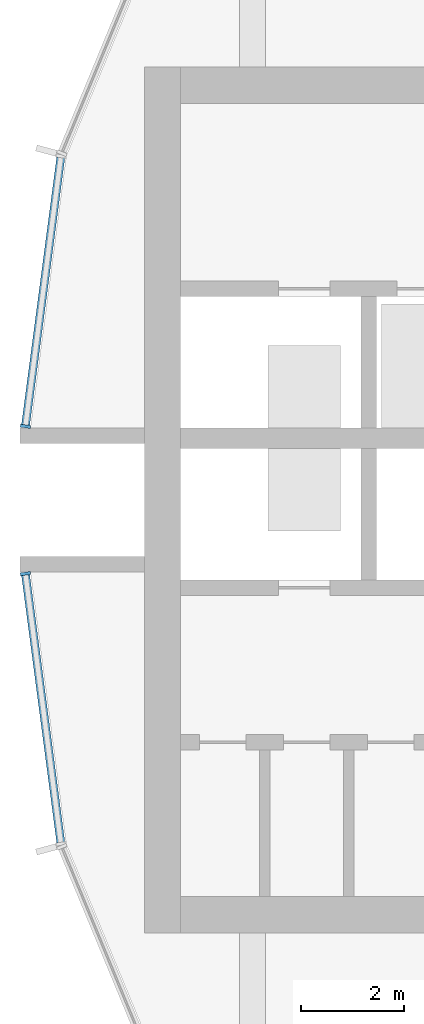
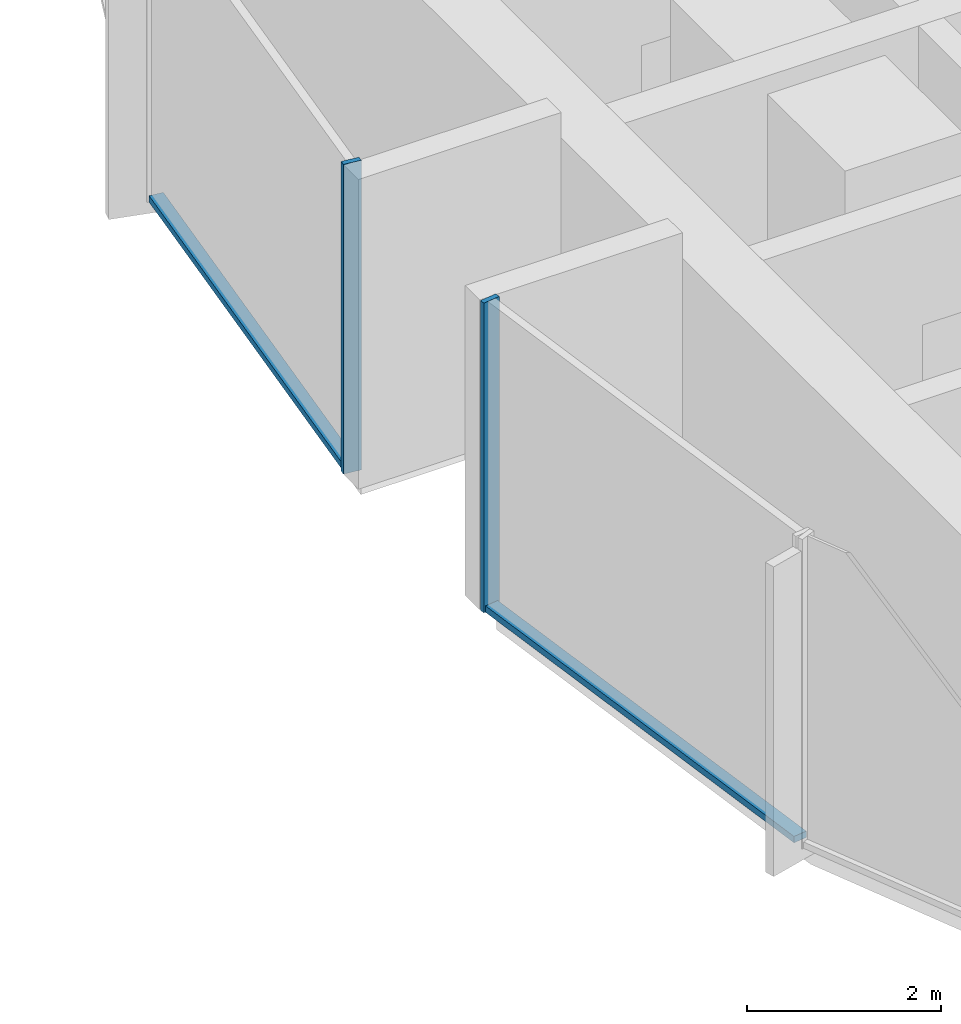
# One storey, part 3 of 15: 4 members, 2 elements without a shape of their own.
"""IFC4 building model written with IfcOpenShell, lengths in metres."""

import ifcopenshell
import ifcopenshell.guid

model = None  # the IFC model being written
_history = None  # IfcOwnerHistory: only IFC2X3 demands one
_inside = {}  # id of a spatial element -> (the spatial element, [elements in it])
_under = {}  # id of a project, library or spatial element -> (it, [spatial elements below it])
_declared = {}  # id of a project -> (the project, [libraries it declares])
_typed = {}  # id of a type object -> (the type object, [elements of that type])
_made_of = {}  # id of a material, layer set ... -> (it, [elements and type objects made of it])


def new_model(schema):
    """Start an empty IFC model of exactly this schema.

    Asked for "IFC4X3", IfcOpenShell would pick the latest addendum, in which some entities
    have other attributes; the version numbers below select the first issue.
    IFC2X3 requires an IfcOwnerHistory on every rooted entity: one is made here for all.
    """
    global model, _history
    if schema == "IFC4X3":
        model = ifcopenshell.file(schema_version=(4, 3, 0, 0))
    else:
        model = ifcopenshell.file(schema=schema)
    _inside.clear()
    _under.clear()
    _declared.clear()
    _typed.clear()
    _made_of.clear()
    _history = None
    if model.schema == "IFC2X3":
        org = make("IfcOrganization", Name="unknown")
        user = make(
            "IfcPersonAndOrganization",
            ThePerson=make("IfcPerson", FamilyName="unknown"),
            TheOrganization=org,
        )
        app = make(
            "IfcApplication",
            ApplicationDeveloper=org,
            Version="unknown",
            ApplicationFullName="unknown",
            ApplicationIdentifier="unknown",
        )
        _history = make(
            "IfcOwnerHistory",
            OwningUser=user,
            OwningApplication=app,
            ChangeAction="ADDED",
            CreationDate=0,
        )
    return model


def make(cls, **values):
    """One entity of the class cls with the attributes given. An attribute that is None is left unset."""
    return model.create_entity(
        cls, **{name: value for name, value in values.items() if value is not None}
    )


def rooted(cls, **values):
    """An entity with a GlobalId (a new one), such as an element, a storey or a relation."""
    return make(cls, GlobalId=ifcopenshell.guid.new(), OwnerHistory=_history, **values)


def si_unit(unit_type, name, prefix=None):
    """IfcSIUnit, for example si_unit("LENGTHUNIT", "METRE", prefix="MILLI")."""
    return make("IfcSIUnit", UnitType=unit_type, Prefix=prefix, Name=name)


def assignment(units):
    """IfcUnitAssignment: the units of a project."""
    return None if units is None else make("IfcUnitAssignment", Units=units)


def point(xyz):
    """IfcCartesianPoint."""
    return None if xyz is None else make("IfcCartesianPoint", Coordinates=xyz)


def direction(xyz):
    """IfcDirection."""
    return None if xyz is None else make("IfcDirection", DirectionRatios=xyz)


def frame(location, z_axis=None, x_axis=None):
    """IfcAxis2Placement3D, a coordinate frame: its origin and axes. An axis left out is left unset."""
    return make(
        "IfcAxis2Placement3D",
        Location=point(location),
        Axis=direction(z_axis),
        RefDirection=direction(x_axis),
    )


def frame_2d(location, x_axis=None):
    """IfcAxis2Placement2D, a coordinate frame in the plane: its origin and x axis."""
    return make(
        "IfcAxis2Placement2D", Location=point(location), RefDirection=direction(x_axis)
    )


def origin():
    """The frame at (0, 0, 0) with its axes left unset."""
    return frame((0.0, 0.0, 0.0))


def origin_2d():
    """The frame at (0, 0) in the plane with its x axis left unset."""
    return frame_2d((0.0, 0.0))


def place(relative_to, where):
    """IfcLocalPlacement: puts the frame where relative to a parent placement (None: the world)."""
    return make(
        "IfcLocalPlacement", PlacementRelTo=relative_to, RelativePlacement=where
    )


def context(
    kind, dimensions, precision=None, world=None, true_north=None, identifier=None
):
    """IfcGeometricRepresentationContext, for example the 3D "Model" context."""
    return make(
        "IfcGeometricRepresentationContext",
        ContextIdentifier=identifier,
        ContextType=kind,
        CoordinateSpaceDimension=dimensions,
        Precision=precision,
        WorldCoordinateSystem=world,
        TrueNorth=true_north,
    )


def subcontext(parent, identifier, kind, view, scale=None):
    """IfcGeometricRepresentationSubContext, for example "Body" below "Model"."""
    return make(
        "IfcGeometricRepresentationSubContext",
        ContextIdentifier=identifier,
        ContextType=kind,
        ParentContext=parent,
        TargetScale=scale,
        TargetView=view,
    )


def project(units=None, contexts=None):
    """IfcProject with its units and contexts."""
    return rooted(
        "IfcProject",
        Name="project",
        RepresentationContexts=contexts,
        UnitsInContext=assignment(units),
    )


def spatial(cls, under=None, at=None, **own):
    """A site, building, storey or space (cls), placed at a placement, below another one or the project."""
    s = rooted(cls, ObjectPlacement=at, **own)
    if under is not None:
        _under.setdefault(under.id(), (under, []))[1].append(s)
    return s


def profile(cls, at=None, kind="AREA", **sizes):
    """A parametric profile (cls). Its sizes go by their IFC names, for example OverallWidth=200.0."""
    return make(cls, ProfileType=kind, Position=at, **sizes)


def rectangle(**sizes):
    """IfcRectangleProfileDef."""
    return profile("IfcRectangleProfileDef", **sizes)


def extrude(swept, where, along, depth):
    """IfcExtrudedAreaSolid: the profile swept, set in the frame where, extruded along a direction by depth."""
    return make(
        "IfcExtrudedAreaSolid",
        SweptArea=swept,
        Position=where,
        ExtrudedDirection=direction(along),
        Depth=depth,
    )


def shape(context_of_items, identifier, shape_type, items):
    """IfcShapeRepresentation: the items that make up one representation, for example the "Body"."""
    return make(
        "IfcShapeRepresentation",
        ContextOfItems=context_of_items,
        RepresentationIdentifier=identifier,
        RepresentationType=shape_type,
        Items=items,
    )


def material(Name=None, Category=None):
    """IfcMaterial."""
    return make("IfcMaterial", Name=Name, Category=Category)


def layer(
    of_material, thickness, ventilated=None, Name=None, Category=None, Priority=None
):
    """IfcMaterialLayer: one layer of a wall or slab, of a material (None: an air gap)."""
    return make(
        "IfcMaterialLayer",
        Material=of_material,
        LayerThickness=thickness,
        IsVentilated=ventilated,
        Name=Name,
        Category=Category,
        Priority=Priority,
    )


def layer_set(layers, Name=None):
    """IfcMaterialLayerSet."""
    return make("IfcMaterialLayerSet", MaterialLayers=layers, LayerSetName=Name)


def material_profile(
    of_material, cross_section, Name=None, Category=None, Priority=None
):
    """IfcMaterialProfile: a cross section and its material."""
    return make(
        "IfcMaterialProfile",
        Name=Name,
        Material=of_material,
        Profile=cross_section,
        Priority=Priority,
        Category=Category,
    )


def profile_set(profiles, Name=None, composite=None):
    """IfcMaterialProfileSet."""
    return make(
        "IfcMaterialProfileSet",
        Name=Name,
        MaterialProfiles=profiles,
        CompositeProfile=composite,
    )


def made_of(thing, what):
    """Note that an element or type object is made of a material, layer set ...; save() writes the relation."""
    if what is not None:
        _made_of.setdefault(what.id(), (what, []))[1].append(thing)
    return thing


def type_object(cls, material=None, **own):
    """A type object (cls), such as IfcWallType, which elements share."""
    return made_of(rooted(cls, **own), material)


def element(
    cls,
    number,
    at=None,
    inside=None,
    cuts=None,
    type_object=None,
    material=None,
    context=None,
    identifier="Body",
    shape_type=None,
    held_by="IfcProductDefinitionShape",
    body=None,
    shapes=None,
    **own,
):
    """One element of the class cls, such as IfcWall. Its Tag is "e" and its number.

    at: its placement. inside: the storey or other place that contains it. cuts: it is an
    opening in that element (IfcRelVoidsElement). A single representation is given by context,
    identifier, shape_type and body (its items); several are given by shapes. held_by: the class
    of the entity that holds the representations. save() writes the other relations.
    """
    e = rooted(cls, Tag="e%d" % number, ObjectPlacement=at, **own)
    if body is not None:
        shapes = [shape(context, identifier, shape_type, body)]
    if shapes is not None:
        e.Representation = make(held_by, Representations=shapes)
    if inside is not None:
        _inside.setdefault(inside.id(), (inside, []))[1].append(e)
    if cuts is not None:
        rooted(
            "IfcRelVoidsElement", RelatingBuildingElement=cuts, RelatedOpeningElement=e
        )
    if type_object is not None:
        _typed.setdefault(type_object.id(), (type_object, []))[1].append(e)
    return made_of(e, material)


def aggregate(whole, parts):
    """IfcRelAggregates: a whole, such as a stair, and the parts it consists of."""
    return rooted("IfcRelAggregates", RelatingObject=whole, RelatedObjects=parts)


def save(model, path):
    """Write the relations noted so far, then the file.

    IfcRelAggregates (storeys below a building ...), IfcRelContainedInSpatialStructure (elements
    in a storey), IfcRelDefinesByType, IfcRelAssociatesMaterial and IfcRelDeclares: one each for
    every whole, place, type object, material and project.
    """
    for whole, parts in _under.values():
        aggregate(whole, parts)
    for where, things in _inside.values():
        rooted(
            "IfcRelContainedInSpatialStructure",
            RelatedElements=things,
            RelatingStructure=where,
        )
    for kind, things in _typed.values():
        rooted("IfcRelDefinesByType", RelatedObjects=things, RelatingType=kind)
    for what, things in _made_of.values():
        rooted("IfcRelAssociatesMaterial", RelatedObjects=things, RelatingMaterial=what)
    for by, libraries in _declared.values():
        rooted("IfcRelDeclares", RelatingContext=by, RelatedDefinitions=libraries)
    model.write(path)


model = new_model("IFC4")

# Units and contexts
model_context = context("Model", 3, precision=1e-05, world=origin(), true_north=direction((0.0, 1.0)))
body_context = subcontext(model_context, "Body", "Model", "MODEL_VIEW")
ifc_project = project(units=[si_unit("LENGTHUNIT", "METRE"), si_unit("AREAUNIT", "SQUARE_METRE"), si_unit("VOLUMEUNIT", "CUBIC_METRE"), si_unit("PLANEANGLEUNIT", "RADIAN"), si_unit("MASSUNIT", "GRAM", prefix="KILO")], contexts=[model_context])

# Site, building, storey
site_placement = place(None, origin())
site = spatial("IfcSite", under=ifc_project, at=site_placement, CompositionType="ELEMENT")
building_placement = place(site_placement, origin())
building = spatial("IfcBuilding", under=site, at=building_placement, Name="Torre Brocal", CompositionType="ELEMENT")
storey_placement = place(building_placement, frame((0.0, 0.0, 130.199951171875)))
storey = spatial("IfcBuildingStorey", under=building, at=storey_placement, Name="L30", CompositionType="ELEMENT", Elevation=130.199951171875)

# Curtain wall, member
ifc_material_1 = material(Name="Aluminium and glass", Category="aluminium")
ifc_layer = layer(ifc_material_1, 0.199951171875)
ifc_layer_set = layer_set([ifc_layer], Name="Aluminium and glass")
curtain_wall_type = type_object("IfcCurtainWallType", Name="CW-1B CURTAIN WALL 3900 HIGH", PredefinedType="NOTDEFINED", material=ifc_layer_set)
curtain_wall_1_placement = place(storey_placement, origin())
curtain_wall_1 = element("IfcCurtainWall", 1, at=curtain_wall_1_placement, inside=storey, type_object=curtain_wall_type, Name="CW-1B RUN 12", PredefinedType="NOTDEFINED")
ifc_material_2 = material(Name="Aluminium, dark anodised", Category="aluminium")
ifc_material_profile_1 = material_profile(ifc_material_2, rectangle(XDim=0.199951171875, YDim=0.06005859375, at=origin_2d()), Name="CW-1B MULLION 60X200")
ifc_profile_set_1 = profile_set([ifc_material_profile_1], Name="Aluminium, dark anodised")
member_type_1 = type_object("IfcMemberType", Name="CW-1B MULLION 60X200", PredefinedType="MULLION", material=ifc_profile_set_1)
member_1_placement = place(storey_placement, frame((54.2890625, 76.4296875, 0.0), z_axis=(0.0, 0.0, 1.0), x_axis=(0.991444861374, -0.13052619222, 0.0)))
member_1 = element("IfcMember", 2, at=member_1_placement, type_object=member_type_1, Name="CW1B-3 mullion 2", PredefinedType="MULLION", context=body_context, shape_type="SweptSolid", body=[
    extrude(rectangle(XDim=0.199951171875, YDim=0.06005859375, at=origin_2d()), origin(), (0.0, 0.0, 1.0), 3.900146484375),
])

curtain_wall_2_placement = place(storey_placement, origin())
curtain_wall_2 = element("IfcCurtainWall", 3, at=curtain_wall_2_placement, inside=storey, type_object=curtain_wall_type, Name="CW-1B RUN 13", PredefinedType="NOTDEFINED")
member_2_placement = place(storey_placement, frame((54.2890625, 73.5703125, 0.0), z_axis=(0.0, 0.0, 1.0), x_axis=(0.991444861374, 0.13052619222, 0.0)))
member_2 = element("IfcMember", 4, at=member_2_placement, type_object=member_type_1, Name="CW1B-3 mullion 1", PredefinedType="MULLION", context=body_context, shape_type="SweptSolid", body=[
    extrude(rectangle(XDim=0.199951171875, YDim=0.06005859375, at=origin_2d()), origin(), (0.0, 0.0, 1.0), 3.900146484375),
])

# Member
ifc_material_3 = material(Name="Aluminium, dark anodised", Category="aluminium")
ifc_material_profile_2 = material_profile(ifc_material_3, rectangle(XDim=0.159912109375, YDim=0.080078125, at=origin_2d()), Name="CW-1B TRANSOM 160X80")
ifc_profile_set_2 = profile_set([ifc_material_profile_2], Name="Aluminium, dark anodised")
member_type_2 = type_object("IfcMemberType", Name="CW-1B TRANSOM 160X80", PredefinedType="USERDEFINED", material=ifc_profile_set_2)
member_3_placement = place(storey_placement, frame((54.9755859375, 81.643798828125, 0.0400390625), z_axis=(-0.130542677827, -0.991442690863, 0.0), x_axis=(0.991442690863, -0.130542677827, 0.0)))
member_3 = element("IfcMember", 5, at=member_3_placement, type_object=member_type_2, Name="CW1B-3 transom 1.1", ObjectType="TRANSOM", PredefinedType="USERDEFINED", context=body_context, shape_type="SweptSolid", body=[
    extrude(rectangle(XDim=0.159912109375, YDim=0.080078125, at=origin_2d()), origin(), (0.0, 0.0, 1.0), 5.22900390625),
])

aggregate(curtain_wall_1, [member_1, member_3])

member_4_placement = place(storey_placement, frame((54.29296875, 73.54052734375, 0.0400390625), z_axis=(0.130542677827, -0.991442690863, 0.0), x_axis=(0.991442690863, 0.130542677827, 0.0)))
member_4 = element("IfcMember", 6, at=member_4_placement, type_object=member_type_2, Name="CW1B-3 transom 1.1", ObjectType="TRANSOM", PredefinedType="USERDEFINED", context=body_context, shape_type="SweptSolid", body=[
    extrude(rectangle(XDim=0.159912109375, YDim=0.080078125, at=origin_2d()), origin(), (0.0, 0.0, 1.0), 5.22900390625),
])

aggregate(curtain_wall_2, [member_2, member_4])

save(model, "model.ifc")
